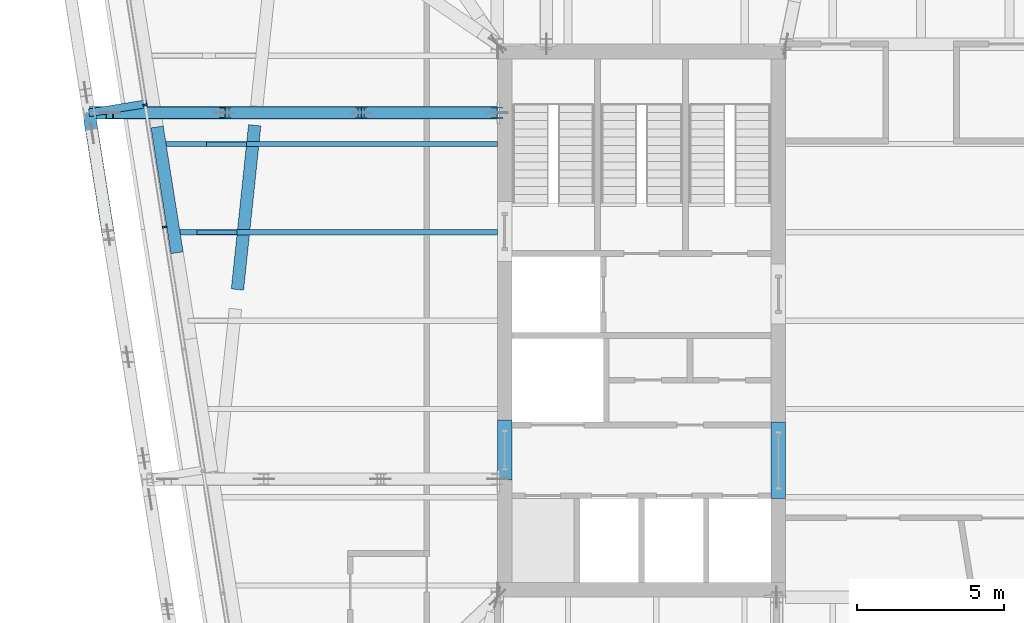
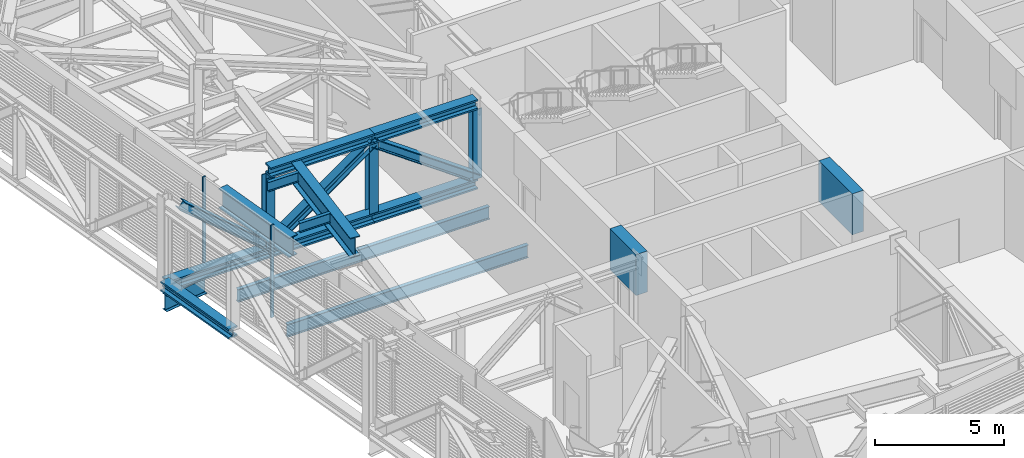
# One storey, part 7 of 32: 15 beams, 8 members, 1 element without a shape of its own.
"""IFC4 building model written with IfcOpenShell, lengths in metres."""

from ifc_helpers import new_model, si_unit, direction, frame, origin, origin_2d, place, context, subcontext, project, spatial, rectangle, i_section, extrude, material, layer, layer_set, material_profile, profile_set, type_object, element, aggregate, save


model = new_model("IFC4")

# Units and contexts
model_context = context("Model", 3, precision=1e-05, world=origin(), true_north=direction((0.0, 1.0)))
body_context = subcontext(model_context, "Body", "Model", "MODEL_VIEW")
ifc_project = project(units=[si_unit("LENGTHUNIT", "METRE"), si_unit("AREAUNIT", "SQUARE_METRE"), si_unit("VOLUMEUNIT", "CUBIC_METRE"), si_unit("PLANEANGLEUNIT", "RADIAN"), si_unit("MASSUNIT", "GRAM", prefix="KILO")], contexts=[model_context])

# Site, building, storey
site_placement = place(None, origin())
site = spatial("IfcSite", under=ifc_project, at=site_placement, CompositionType="ELEMENT")
building_placement = place(site_placement, origin())
building = spatial("IfcBuilding", under=site, at=building_placement, Name="Millrace Tower", CompositionType="ELEMENT")
storey_placement = place(building_placement, frame((0.0, 0.0, 266.89990234375)))
storey = spatial("IfcBuildingStorey", under=building, at=storey_placement, Name="L61", CompositionType="ELEMENT", Elevation=266.89990234375)

# Beam
ifc_material_1 = material(Name="Steel ASTM A992 Grade 50", Category="steel")
ifc_material_profile_1 = material_profile(ifc_material_1, i_section(OverallWidth=0.424072265625, OverallDepth=0.47509765625, WebThickness=0.0478515625, FlangeThickness=0.0771484375, FilletRadius=0.014892578125, at=origin_2d()))
ifc_profile_set_1 = profile_set([ifc_material_profile_1], Name="Steel ASTM A992 Grade 50")
beam_type_1 = type_object("IfcBeamType", Name="Belt truss chord W14x426", PredefinedType="BEAM", material=ifc_profile_set_1)
beam_1_placement = place(storey_placement, frame((-28.27783203125, 7.0615234375, 0.237548828125), z_axis=(0.156484932693, -0.987680345982, 0.0), x_axis=(0.987680345982, 0.156484932693, 0.0)))
element("IfcBeam", 1, at=beam_1_placement, inside=storey, type_object=beam_type_1, Name="BLT-L61-R15-B01", PredefinedType="BEAM", context=body_context, shape_type="SweptSolid", body=[
    extrude(i_section(OverallWidth=0.424072265625, OverallDepth=0.47509765625, WebThickness=0.0478515625, FlangeThickness=0.0771484375, FilletRadius=0.014892578125, at=origin_2d()), origin(), (0.0, 0.0, 1.0), 4.199951171875),
])

# Curtain wall, members
ifc_material_2 = material(Name="Aluminium and glass", Category="aluminium")
ifc_layer = layer(ifc_material_2, 0.14990234375)
ifc_layer_set = layer_set([ifc_layer], Name="Aluminium and glass")
curtain_wall_type = type_object("IfcCurtainWallType", Name="CW-5 truss and plant storey louvred infill", PredefinedType="NOTDEFINED", material=ifc_layer_set)
curtain_wall_placement = place(storey_placement, origin())
curtain_wall = element("IfcCurtainWall", 2, at=curtain_wall_placement, inside=storey, type_object=curtain_wall_type, Name="Curtain wall D-F08 L61", PredefinedType="NOTDEFINED")
ifc_material_3 = material(Name="Aluminium", Category="aluminium")
ifc_material_profile_2 = material_profile(ifc_material_3, rectangle(XDim=0.06494140625, YDim=0.14990234375, at=origin_2d()))
ifc_profile_set_2 = profile_set([ifc_material_profile_2], Name="Aluminium")
member_type_1 = type_object("IfcMemberType", Name="CW-5 truss and plant storey louvred infill mullion", PredefinedType="MULLION", material=ifc_profile_set_2)
member_1_placement = place(storey_placement, frame((-26.371337890625, 7.33056640625, 0.14013671875), z_axis=(0.0, 0.0, 1.0), x_axis=(0.156434471884, -0.987688339511, 0.0)))
member_1 = element("IfcMember", 3, at=member_1_placement, type_object=member_type_1, Name="CW5 mullion D-F08.4", PredefinedType="MULLION", context=body_context, shape_type="SweptSolid", body=[
    extrude(rectangle(XDim=0.06494140625, YDim=0.14990234375, at=origin_2d()), origin(), (0.0, 0.0, 1.0), 4.35986328125),
])
member_2_placement = place(storey_placement, frame((-25.71435546875, 3.182373046875, 0.14013671875), z_axis=(0.0, 0.0, 1.0), x_axis=(0.156434471884, -0.987688339511, 0.0)))
member_2 = element("IfcMember", 4, at=member_2_placement, type_object=member_type_1, Name="CW5 mullion D-F08.5", PredefinedType="MULLION", context=body_context, shape_type="SweptSolid", body=[
    extrude(rectangle(XDim=0.06494140625, YDim=0.14990234375, at=origin_2d()), origin(), (0.0, 0.0, 1.0), 4.35986328125),
])
aggregate(curtain_wall, [member_1, member_2])

# Beams
ifc_material_4 = material(Name="Concrete C60", Category="concrete")
ifc_material_profile_3 = material_profile(ifc_material_4, rectangle(XDim=0.5, YDim=1.93994140625, at=origin_2d()))
ifc_profile_set_3 = profile_set([ifc_material_profile_3], Name="Concrete C60")
beam_type_2 = type_object("IfcBeamType", Name="Coupling beam 500 x 1940 Concrete C60, 1400 opening", PredefinedType="BEAM", material=ifc_profile_set_3)
beam_2_placement = place(storey_placement, frame((-14.14990234375, -5.41845703125, 3.3701171875), z_axis=(0.0, 1.0, 0.0), x_axis=(-1.0, 0.0, 0.0)))
element("IfcBeam", 5, at=beam_2_placement, inside=storey, type_object=beam_type_2, Name="Coupling beam W L61", PredefinedType="BEAM", context=body_context, shape_type="SweptSolid", body=[
    extrude(rectangle(XDim=0.5, YDim=1.93994140625, at=origin_2d()), origin(), (0.0, 0.0, 1.0), 2.036865234375),
])
ifc_material_5 = material(Name="Concrete C60", Category="concrete")
ifc_material_profile_4 = material_profile(ifc_material_5, rectangle(XDim=0.5, YDim=1.93994140625, at=origin_2d()))
ifc_profile_set_4 = profile_set([ifc_material_profile_4], Name="Concrete C60")
beam_type_3 = type_object("IfcBeamType", Name="Coupling beam 500 x 1940 Concrete C60, 2000 opening", PredefinedType="BEAM", material=ifc_profile_set_4)
beam_3_placement = place(storey_placement, frame((-4.85009765625, -6.050048828125, 3.3701171875), z_axis=(0.0, 1.0, 0.0), x_axis=(-1.0, 0.0, 0.0)))
element("IfcBeam", 6, at=beam_3_placement, inside=storey, type_object=beam_type_3, Name="Coupling beam W L61", PredefinedType="BEAM", context=body_context, shape_type="SweptSolid", body=[
    extrude(rectangle(XDim=0.5, YDim=1.93994140625, at=origin_2d()), origin(), (0.0, 0.0, 1.0), 2.60009765625),
])
ifc_material_6 = material(Name="Steel ASTM A992 Grade 50", Category="steel")
ifc_material_profile_5 = material_profile(ifc_material_6, i_section(OverallWidth=0.15234375, OverallDepth=0.449462890625, WebThickness=0.007568359375, FlangeThickness=0.0107421875, FilletRadius=0.01025390625, at=origin_2d()))
ifc_profile_set_5 = profile_set([ifc_material_profile_5], Name="Steel ASTM A992 Grade 50")
beam_type_4 = type_object("IfcBeamType", Name="Floor beam W18x35", PredefinedType="JOIST", material=ifc_profile_set_5)
for number, where, z_axis, x_axis, name in (
    (7, (-24.6064453125, 3.0, 4.115234375), (1.0, 0.0, 0.0), (0.0, 1.0, 0.0), "BM-D-L61-R1-S002"),
    (8, (-24.291015625, 6.0, 4.115234375), (1.0, 0.0, 0.0), (0.0, 1.0, 0.0), "BM-D-L61-R1-S003"),
):
    element("IfcBeam", number, at=place(storey_placement, frame(where, z_axis=z_axis, x_axis=x_axis)), inside=storey, type_object=beam_type_4, Name=name, PredefinedType="JOIST", context=body_context, shape_type="SweptSolid", body=[
        extrude(i_section(OverallWidth=0.15234375, OverallDepth=0.449462890625, WebThickness=0.007568359375, FlangeThickness=0.0107421875, FilletRadius=0.01025390625, at=origin_2d()), origin(), (0.0, 0.0, 1.0), 1.365234375),
    ])
ifc_material_7 = material(Name="Steel ASTM A992 Grade 50", Category="steel")
ifc_material_profile_6 = material_profile(ifc_material_7, i_section(OverallWidth=0.1787109375, OverallDepth=0.60205078125, WebThickness=0.010986328125, FlangeThickness=0.014892578125, FilletRadius=0.0126953125, at=origin_2d()))
ifc_profile_set_6 = profile_set([ifc_material_profile_6], Name="Steel ASTM A992 Grade 50")
beam_type_5 = type_object("IfcBeamType", Name="Floor beam W24x62", PredefinedType="JOIST", material=ifc_profile_set_6)
beam_4_placement = place(storey_placement, frame((-25.1826171875, 3.0, -0.55078125), z_axis=(1.0, 0.0, 0.0), x_axis=(0.0, 1.0, 0.0)))
element("IfcBeam", 9, at=beam_4_placement, inside=storey, type_object=beam_type_5, Name="BM-D-L61-S1-S018", PredefinedType="JOIST", context=body_context, shape_type="SweptSolid", body=[
    extrude(i_section(OverallWidth=0.1787109375, OverallDepth=0.60205078125, WebThickness=0.010986328125, FlangeThickness=0.014892578125, FilletRadius=0.0126953125, at=origin_2d()), origin(), (0.0, 0.0, 1.0), 10.78271484375),
])
beam_5_placement = place(storey_placement, frame((-25.65771484375, 6.0, -0.55078125), z_axis=(1.0, 0.0, 0.0), x_axis=(0.0, 1.0, 0.0)))
element("IfcBeam", 10, at=beam_5_placement, inside=storey, type_object=beam_type_5, Name="BM-D-L61-S1-S021", PredefinedType="JOIST", context=body_context, shape_type="SweptSolid", body=[
    extrude(i_section(OverallWidth=0.1787109375, OverallDepth=0.60205078125, WebThickness=0.010986328125, FlangeThickness=0.014892578125, FilletRadius=0.0126953125, at=origin_2d()), origin(), (0.0, 0.0, 1.0), 11.2578125),
])
ifc_material_8 = material(Name="Steel ASTM A992 Grade 50", Category="steel")
ifc_material_profile_7 = material_profile(ifc_material_8, i_section(OverallWidth=0.2666015625, OverallDepth=0.7568359375, WebThickness=0.013916015625, FlangeThickness=0.019287109375, FilletRadius=0.0166015625, at=origin_2d()))
ifc_profile_set_7 = profile_set([ifc_material_profile_7], Name="Steel ASTM A992 Grade 50")
beam_type_6 = type_object("IfcBeamType", Name="Link beam W30x108", PredefinedType="BEAM", material=ifc_profile_set_7)
beam_6_placement = place(storey_placement, frame((-26.302490234375, 7.37451171875, -0.62841796875), z_axis=(-0.987678691416, -0.156495375404, 0.0), x_axis=(0.156495375404, -0.987678691416, 0.0)))
element("IfcBeam", 11, at=beam_6_placement, inside=storey, type_object=beam_type_6, Name="LNK-D-L61-S1-03", PredefinedType="BEAM", context=body_context, shape_type="SweptSolid", body=[
    extrude(i_section(OverallWidth=0.2666015625, OverallDepth=0.7568359375, WebThickness=0.013916015625, FlangeThickness=0.019287109375, FilletRadius=0.0166015625, at=origin_2d()), origin(), (0.0, 0.0, 1.0), 2.0),
])
ifc_material_9 = material(Name="Steel ASTM A992 Grade 50", Category="steel")
ifc_material_profile_8 = material_profile(ifc_material_9, i_section(OverallWidth=0.424072265625, OverallDepth=0.47509765625, WebThickness=0.0478515625, FlangeThickness=0.0771484375, FilletRadius=0.014892578125, at=origin_2d()))
ifc_profile_set_8 = profile_set([ifc_material_profile_8], Name="Steel ASTM A992 Grade 50")
beam_type_7 = type_object("IfcBeamType", Name="Outrigger truss chord W14x426", PredefinedType="BEAM", material=ifc_profile_set_8)
for number, where, z_axis, x_axis, name in (
    (12, (-14.39990234375, 7.0615234375, 0.237548828125), (-1.0, 0.0, 0.0), (0.0, -1.0, 0.0), "BLT-L61-O15-B01"),
    (13, (-14.39990234375, 7.0615234375, 4.002685546875), (-1.0, 0.0, 0.0), (0.0, -1.0, 0.0), "BLT-L61-O15-T01"),
    (14, (-19.02587890625, 7.0615234375, 0.237548828125), (-1.0, 0.0, 0.0), (0.0, -1.0, 0.0), "BLT-L61-O15-B02"),
    (15, (-19.02587890625, 7.0615234375, 4.002685546875), (-1.0, 0.0, 0.0), (0.0, -1.0, 0.0), "BLT-L61-O15-T02"),
    (16, (-23.65185546875, 7.0615234375, 0.237548828125), (-1.0, 0.0, 0.0), (0.0, -1.0, 0.0), "BLT-L61-O15-B03"),
):
    element("IfcBeam", number, at=place(storey_placement, frame(where, z_axis=z_axis, x_axis=x_axis)), inside=storey, type_object=beam_type_7, Name=name, PredefinedType="BEAM", context=body_context, shape_type="SweptSolid", body=[
        extrude(i_section(OverallWidth=0.424072265625, OverallDepth=0.47509765625, WebThickness=0.0478515625, FlangeThickness=0.0771484375, FilletRadius=0.014892578125, at=origin_2d()), origin(), (0.0, 0.0, 1.0), 4.6259765625),
    ])

# Members
ifc_material_10 = material(Name="Steel ASTM A992 Grade 50", Category="steel")
ifc_material_profile_9 = material_profile(ifc_material_10, i_section(OverallWidth=0.398681640625, OverallDepth=0.385986328125, WebThickness=0.02099609375, FlangeThickness=0.033203125, FilletRadius=0.01513671875, at=origin_2d()))
ifc_profile_set_9 = profile_set([ifc_material_profile_9], Name="Steel ASTM A992 Grade 50")
member_type_2 = type_object("IfcMemberType", Name="Outrigger truss diagonal W14x176", PredefinedType="BRACE", material=ifc_profile_set_9)
for number, where, z_axis, x_axis, name in (
    (17, (-14.39990234375, 7.0615234375, 0.47509765625), (-0.814917406864, 0.0, 0.579577104439), (0.0, -1.0, 0.0), "BLT-L61-O15-D01"),
    (18, (-23.65185546875, 7.0615234375, 0.47509765625), (0.814917406864, 0.0, 0.579577104439), (0.0, 1.0, 0.0), "BLT-L61-O15-D02"),
):
    element("IfcMember", number, at=place(storey_placement, frame(where, z_axis=z_axis, x_axis=x_axis)), inside=storey, type_object=member_type_2, Name=name, PredefinedType="BRACE", context=body_context, shape_type="SweptSolid", body=[
        extrude(i_section(OverallWidth=0.398681640625, OverallDepth=0.385986328125, WebThickness=0.02099609375, FlangeThickness=0.033203125, FilletRadius=0.01513671875, at=origin_2d()), origin(), (0.0, 0.0, 1.0), 5.676513671875),
    ])
member_3_placement = place(storey_placement, frame((-23.65185546875, 7.0615234375, 0.47509765625), z_axis=(-0.766436766086, 0.0, 0.642319767399), x_axis=(0.0, -1.0, 0.0)))
element("IfcMember", 19, at=member_3_placement, inside=storey, type_object=member_type_2, Name="BLT-L61-O15-D03", PredefinedType="BRACE", context=body_context, shape_type="SweptSolid", body=[
    extrude(i_section(OverallWidth=0.398681640625, OverallDepth=0.385986328125, WebThickness=0.02099609375, FlangeThickness=0.033203125, FilletRadius=0.01513671875, at=origin_2d()), origin(), (0.0, 0.0, 1.0), 5.1220703125),
])
ifc_material_11 = material(Name="Steel ASTM A992 Grade 50", Category="steel")
ifc_material_profile_10 = material_profile(ifc_material_11, i_section(OverallWidth=0.393798828125, OverallDepth=0.3759765625, WebThickness=0.017333984375, FlangeThickness=0.027587890625, FilletRadius=0.01513671875, at=origin_2d()))
ifc_profile_set_10 = profile_set([ifc_material_profile_10], Name="Steel ASTM A992 Grade 50")
member_type_3 = type_object("IfcMemberType", Name="Outrigger truss post W14x145", PredefinedType="POST", material=ifc_profile_set_10)
for number, where, z_axis, x_axis, name in (
    (20, (-14.39990234375, 7.0615234375, 0.47509765625), (0.0, 0.0, 1.0), (1.0, 0.0, 0.0), "BLT-L61-O15-V00"),
    (21, (-19.02587890625, 7.0615234375, 0.47509765625), (0.0, 0.0, 1.0), (1.0, 0.0, 0.0), "BLT-L61-O15-V01"),
    (22, (-23.65185546875, 7.0615234375, 0.47509765625), (0.0, 0.0, 1.0), (1.0, 0.0, 0.0), "BLT-L61-O15-V02"),
):
    element("IfcMember", number, at=place(storey_placement, frame(where, z_axis=z_axis, x_axis=x_axis)), inside=storey, type_object=member_type_3, Name=name, PredefinedType="POST", context=body_context, shape_type="SweptSolid", body=[
        extrude(i_section(OverallWidth=0.393798828125, OverallDepth=0.3759765625, WebThickness=0.017333984375, FlangeThickness=0.027587890625, FilletRadius=0.01513671875, at=origin_2d()), origin(), (0.0, 0.0, 1.0), 3.2900390625),
    ])

# Beams
ifc_material_12 = material(Name="Steel ASTM A992 Grade 50", Category="steel")
ifc_material_profile_11 = material_profile(ifc_material_12, i_section(OverallWidth=0.421630859375, OverallDepth=0.937255859375, WebThickness=0.021240234375, FlangeThickness=0.03662109375, FilletRadius=0.024169921875, at=origin_2d()))
ifc_profile_set_11 = profile_set([ifc_material_profile_11], Name="Steel ASTM A992 Grade 50")
beam_type_8 = type_object("IfcBeamType", Name="Ring beam short span W36x262", PredefinedType="SPANDREL", material=ifc_profile_set_11)
beam_7_placement = place(storey_placement, frame((-25.2861328125, 2.30615234375, 3.87158203125), z_axis=(-0.156446200009, 0.987686481887, 0.0), x_axis=(-0.987686481887, -0.156446200009, 0.0)))
element("IfcBeam", 23, at=beam_7_placement, inside=storey, type_object=beam_type_8, Name="RNG-D-L61-R1-05", PredefinedType="SPANDREL", context=body_context, shape_type="SweptSolid", body=[
    extrude(i_section(OverallWidth=0.421630859375, OverallDepth=0.937255859375, WebThickness=0.021240234375, FlangeThickness=0.03662109375, FilletRadius=0.024169921875, at=origin_2d()), origin(), (0.0, 0.0, 1.0), 4.328857421875),
])
beam_8_placement = place(storey_placement, frame((-22.646728515625, 6.638671875, 3.87158203125), z_axis=(-0.104524021881, -0.994522362167, 0.0), x_axis=(0.994522362167, -0.104524021881, 0.0)))
element("IfcBeam", 24, at=beam_8_placement, inside=storey, type_object=beam_type_8, Name="RNG-D-L61-R1-03-b-b-b-a", PredefinedType="SPANDREL", context=body_context, shape_type="SweptSolid", body=[
    extrude(i_section(OverallWidth=0.421630859375, OverallDepth=0.937255859375, WebThickness=0.021240234375, FlangeThickness=0.03662109375, FilletRadius=0.024169921875, at=origin_2d()), origin(), (0.0, 0.0, 1.0), 5.61279296875),
])

save(model, "model.ifc")
